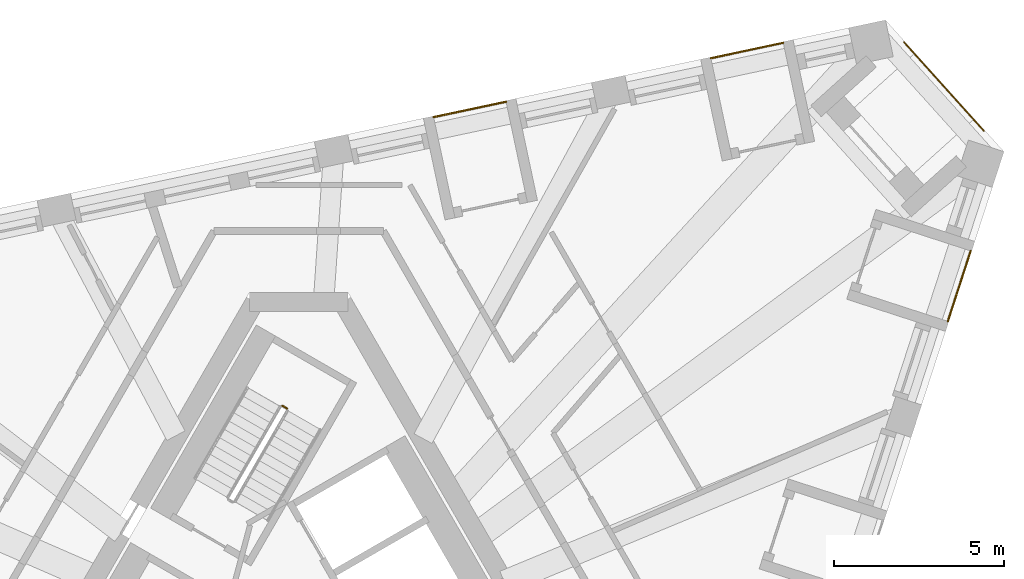
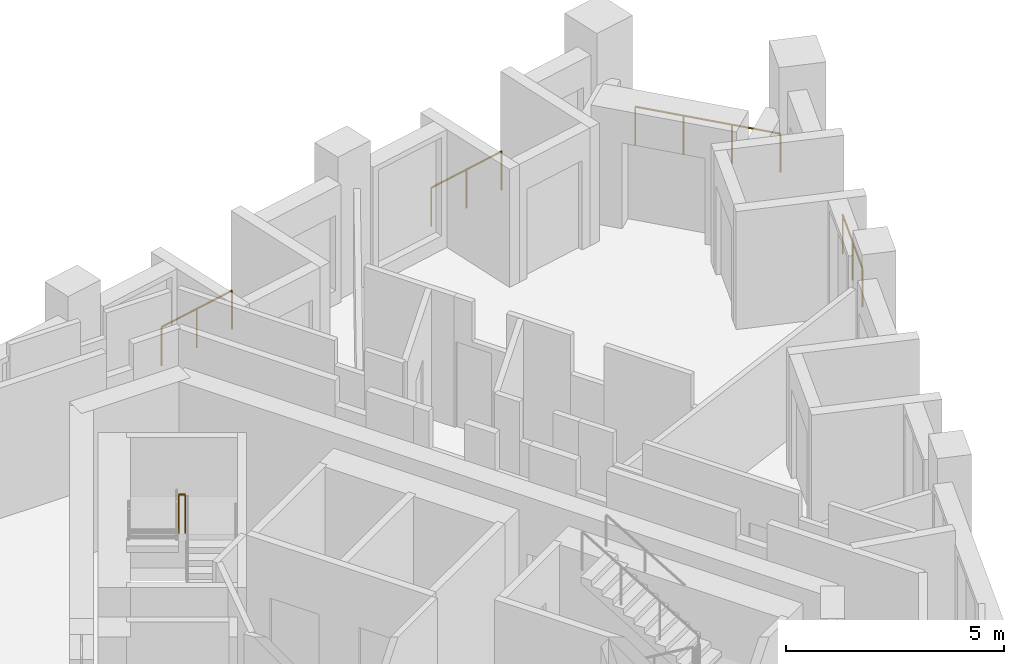
# One storey, part 13 of 13: 5 railings.
"""IFC4 building model written with IfcOpenShell, lengths in metres."""

from ifc_helpers import new_model, si_unit, direction, frame, origin, origin_2d, place, context, subcontext, project, spatial, circle, extrude, material, type_object, element, save


model = new_model("IFC4")

# Units and contexts
model_context = context("Model", 3, precision=1e-05, world=origin(), true_north=direction((0.0, 1.0)))
body_context = subcontext(model_context, "Body", "Model", "MODEL_VIEW")
ifc_project = project(units=[si_unit("LENGTHUNIT", "METRE"), si_unit("AREAUNIT", "SQUARE_METRE"), si_unit("VOLUMEUNIT", "CUBIC_METRE"), si_unit("PLANEANGLEUNIT", "RADIAN"), si_unit("MASSUNIT", "GRAM", prefix="KILO")], contexts=[model_context])

# Site, building, storey
site_placement = place(None, origin())
site = spatial("IfcSite", under=ifc_project, at=site_placement, CompositionType="ELEMENT")
building_placement = place(site_placement, origin())
building = spatial("IfcBuilding", under=site, at=building_placement, Name="Tramontana Tower", CompositionType="ELEMENT")
storey_placement = place(building_placement, frame((0.0, 0.0, 324.39990234375)))
storey = spatial("IfcBuildingStorey", under=building, at=storey_placement, Name="L74", CompositionType="ELEMENT", Elevation=324.39990234375)

# Railings
ifc_material_1 = material(Name="Laminated glass balustrade", Category="glass")
railing_type_1 = type_object("IfcRailingType", Name="GD1 Loggia glass balustrade 1100", PredefinedType="BALUSTRADE", material=ifc_material_1)
railing_1_placement = place(storey_placement, frame((19.0400390625, 10.1552734375, 0.0)))
element("IfcRailing", 1, at=railing_1_placement, inside=storey, type_object=railing_type_1, Name="Loggia balustrade L74 G8S1.13", PredefinedType="BALUSTRADE", context=body_context, shape_type="SweptSolid", body=[
    extrude(circle(Radius=0.02392578125, at=origin_2d()), frame((0.0, 0.0, 1.076171875), z_axis=(0.308966581759, 0.95107289487, 0.0), x_axis=(-0.95107289487, 0.308966581759, 0.0)), (0.0, 0.0, 1.0), 2.17138671875),
    extrude(circle(Radius=0.02099609375, at=origin_2d()), origin(), (0.0, 0.0, 1.0), 1.052001953125),
    extrude(circle(Radius=0.02099609375, at=origin_2d()), frame((0.33544921875, 1.03271484375, 0.0)), (0.0, 0.0, 1.0), 1.052001953125),
    extrude(circle(Radius=0.02099609375, at=origin_2d()), frame((0.6708984375, 2.065185546875, 0.0)), (0.0, 0.0, 1.0), 1.052001953125),
])
for number, where, name in (
    (2, (14.2138671875, 18.32568359375, 0.0), "Loggia balustrade L74 G8S2.1"),
    (3, (6.08154296875, 16.59716796875, 0.0), "Loggia balustrade L74 G8S2.4"),
):
    element("IfcRailing", number, at=place(storey_placement, frame(where)), inside=storey, type_object=railing_type_1, Name=name, PredefinedType="BALUSTRADE", context=body_context, shape_type="SweptSolid", body=[
        extrude(circle(Radius=0.02392578125, at=origin_2d()), frame((0.0, 0.0, 1.076171875), z_axis=(-0.978148276005, -0.207908513891, 0.0), x_axis=(0.207908513891, -0.978148276005, 0.0)), (0.0, 0.0, 1.0), 2.171142578125),
        extrude(circle(Radius=0.02099609375, at=origin_2d()), origin(), (0.0, 0.0, 1.0), 1.052001953125),
        extrude(circle(Radius=0.02099609375, at=origin_2d()), frame((-1.06201171875, -0.2255859375, 0.0)), (0.0, 0.0, 1.0), 1.052001953125),
        extrude(circle(Radius=0.02099609375, at=origin_2d()), frame((-2.123779296875, -0.451416015625, 0.0)), (0.0, 0.0, 1.0), 1.052001953125),
    ])
railing_2_placement = place(storey_placement, frame((17.7568359375, 18.34326171875, 0.0)))
element("IfcRailing", 4, at=railing_2_placement, inside=storey, type_object=railing_type_1, Name="Corner loggia balustrade L74 K82", PredefinedType="BALUSTRADE", context=body_context, shape_type="SweptSolid", body=[
    extrude(circle(Radius=0.02392578125, at=origin_2d()), frame((0.0, 0.0, 1.076171875), z_axis=(0.669134277936, -0.743141519559, 0.0), x_axis=(0.743141519559, 0.669134277936, 0.0)), (0.0, 0.0, 1.0), 3.5),
    extrude(circle(Radius=0.02099609375, at=origin_2d()), origin(), (0.0, 0.0, 1.0), 1.052001953125),
    extrude(circle(Radius=0.02099609375, at=origin_2d()), frame((0.78076171875, -0.866943359375, 0.0)), (0.0, 0.0, 1.0), 1.052001953125),
    extrude(circle(Radius=0.02099609375, at=origin_2d()), frame((1.561279296875, -1.734130859375, 0.0)), (0.0, 0.0, 1.0), 1.052001953125),
    extrude(circle(Radius=0.02099609375, at=origin_2d()), frame((2.342041015625, -2.60107421875, 0.0)), (0.0, 0.0, 1.0), 1.052001953125),
])
ifc_material_2 = material(Name="Painted steel", Category="steel")
railing_type_2 = type_object("IfcRailingType", Name="STAIR GUARD 1100", PredefinedType="GUARDRAIL", material=ifc_material_2)
railing_3_placement = place(storey_placement, frame((-0.345703125, 7.601318359375, 2.0)))
element("IfcRailing", 5, at=railing_3_placement, inside=storey, type_object=railing_type_2, Name="L74 ST1 stair guard 3", PredefinedType="GUARDRAIL", context=body_context, shape_type="SweptSolid", body=[
    extrude(circle(Radius=0.02392578125, at=origin_2d()), frame((0.0, 0.0, 1.076171875), z_axis=(-0.866131372301, 0.499816412211, 0.0), x_axis=(-0.499816412211, -0.866131372301, 0.0)), (0.0, 0.0, 1.0), 0.14990234375),
    extrude(circle(Radius=0.02099609375, at=origin_2d()), origin(), (0.0, 0.0, 1.0), 1.052001953125),
    extrude(circle(Radius=0.02099609375, at=origin_2d()), frame((-0.1298828125, 0.074951171875, 0.0)), (0.0, 0.0, 1.0), 1.052001953125),
])

save(model, "model.ifc")
